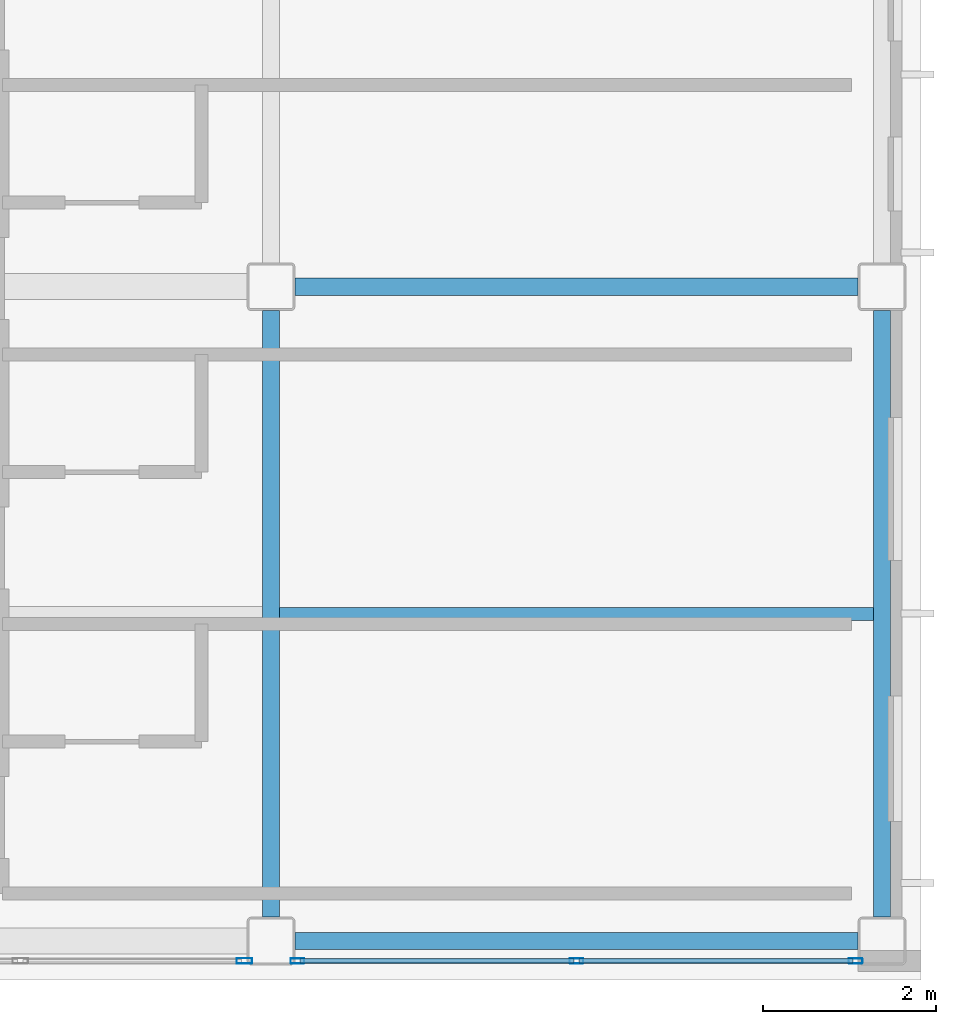
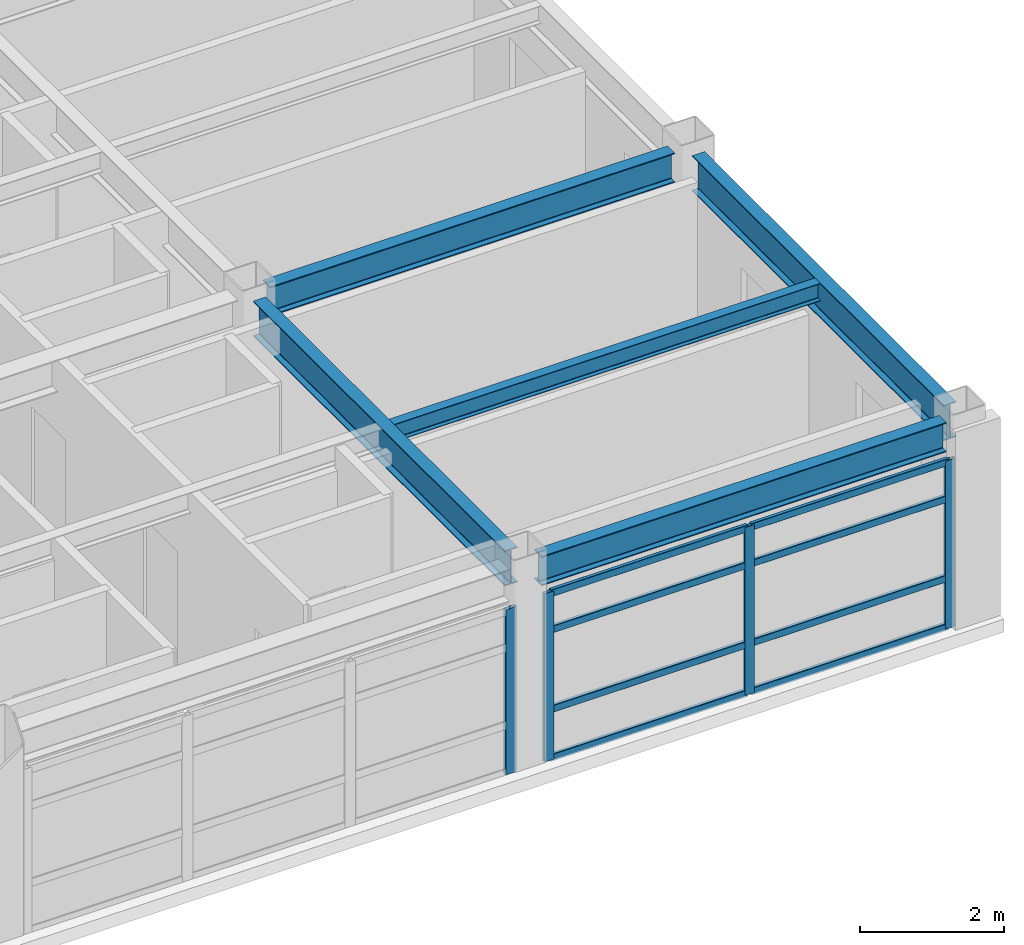
# One storey, part 6 of 38: 12 members, 5 beams, 2 elements without a shape of their own.
"""IFC4 building model written with IfcOpenShell, lengths in metres."""

from ifc_helpers import new_model, si_unit, direction, frame, origin, origin_2d, place, context, subcontext, project, spatial, hollow_rectangle, i_section, extrude, material, layer, layer_set, material_profile, profile_set, type_object, element, aggregate, save


model = new_model("IFC4")

# Units and contexts
model_context = context("Model", 3, precision=1e-05, world=origin(), true_north=direction((0.0, 1.0)))
body_context = subcontext(model_context, "Body", "Model", "MODEL_VIEW")
ifc_project = project(units=[si_unit("LENGTHUNIT", "METRE"), si_unit("AREAUNIT", "SQUARE_METRE"), si_unit("VOLUMEUNIT", "CUBIC_METRE"), si_unit("PLANEANGLEUNIT", "RADIAN"), si_unit("MASSUNIT", "GRAM", prefix="KILO")], contexts=[model_context])

# Site, building, storey
site_placement = place(None, origin())
site = spatial("IfcSite", under=ifc_project, at=site_placement, CompositionType="ELEMENT")
building_placement = place(site_placement, origin())
building = spatial("IfcBuilding", under=site, at=building_placement, Name="Kazehara Bluff Congress Hotel", CompositionType="ELEMENT")
storey_placement = place(building_placement, frame((0.0, 0.0, 24.60009765625)))
storey = spatial("IfcBuildingStorey", under=building, at=storey_placement, Name="L05", CompositionType="ELEMENT", Elevation=24.60009765625)

# Curtain wall, members
ifc_material_1 = material(Name="Anodised aluminium", Category="aluminium")
ifc_layer_1 = layer(ifc_material_1, 0.159912109375)
ifc_layer_set_1 = layer_set([ifc_layer_1], Name="Anodised aluminium")
curtain_wall_type_1 = type_object("IfcCurtainWallType", Name="TP-CW-173", PredefinedType="NOTDEFINED", material=ifc_layer_set_1)
curtain_wall_1_placement = place(storey_placement, origin())
curtain_wall_1 = element("IfcCurtainWall", 1, at=curtain_wall_1_placement, inside=storey, type_object=curtain_wall_type_1, Name="L05 curtain wall CW-173 CW-ENC-V5-L05-16402-22", PredefinedType="NOTDEFINED")
ifc_material_2 = material(Name="Anodised aluminium", Category="aluminium")
ifc_material_profile_1 = material_profile(ifc_material_2, hollow_rectangle(XDim=0.06005859375, YDim=0.159912109375, WallThickness=0.00390625, InnerFilletRadius=0.00390625, OuterFilletRadius=0.008056640625, at=origin_2d()))
ifc_profile_set_1 = profile_set([ifc_material_profile_1], Name="Anodised aluminium")
member_type_1 = type_object("IfcMemberType", Name="TP-CWM-01", PredefinedType="MULLION", material=ifc_profile_set_1)
member_1_placement = place(storey_placement, frame((167.2451171875, 0.219970703125, 0.0), z_axis=(0.0, 0.0, 1.0), x_axis=(0.0, -1.0, 0.0)))
member_1 = element("IfcMember", 2, at=member_1_placement, type_object=member_type_1, Name="CW-173 mullion 1", PredefinedType="MULLION", context=body_context, shape_type="SweptSolid", body=[
    extrude(hollow_rectangle(XDim=0.06005859375, YDim=0.159912109375, WallThickness=0.00390625, InnerFilletRadius=0.00390625, OuterFilletRadius=0.008056640625, at=origin_2d()), origin(), (0.0, 0.0, 1.0), 2.85498046875),
])
member_2_placement = place(storey_placement, frame((164.02490234375, 0.219970703125, 0.0), z_axis=(0.0, 0.0, 1.0), x_axis=(0.0, -1.0, 0.0)))
member_2 = element("IfcMember", 3, at=member_2_placement, type_object=member_type_1, Name="CW-173 mullion 2", PredefinedType="MULLION", context=body_context, shape_type="SweptSolid", body=[
    extrude(hollow_rectangle(XDim=0.06005859375, YDim=0.159912109375, WallThickness=0.00390625, InnerFilletRadius=0.00390625, OuterFilletRadius=0.008056640625, at=origin_2d()), origin(), (0.0, 0.0, 1.0), 2.85498046875),
])
member_3_placement = place(storey_placement, frame((160.804931640625, 0.219970703125, 0.0), z_axis=(0.0, 0.0, 1.0), x_axis=(0.0, -1.0, 0.0)))
member_3 = element("IfcMember", 4, at=member_3_placement, type_object=member_type_1, Name="CW-173 mullion 3", PredefinedType="MULLION", context=body_context, shape_type="SweptSolid", body=[
    extrude(hollow_rectangle(XDim=0.06005859375, YDim=0.159912109375, WallThickness=0.00390625, InnerFilletRadius=0.00390625, OuterFilletRadius=0.008056640625, at=origin_2d()), origin(), (0.0, 0.0, 1.0), 2.85498046875),
])

# Curtain wall, member
ifc_material_3 = material(Name="Anodised aluminium", Category="aluminium")
ifc_layer_2 = layer(ifc_material_3, 0.159912109375)
ifc_layer_set_2 = layer_set([ifc_layer_2], Name="Anodised aluminium")
curtain_wall_type_2 = type_object("IfcCurtainWallType", Name="TP-CW-172", PredefinedType="NOTDEFINED", material=ifc_layer_set_2)
curtain_wall_2_placement = place(storey_placement, origin())
curtain_wall_2 = element("IfcCurtainWall", 5, at=curtain_wall_2_placement, inside=storey, type_object=curtain_wall_type_2, Name="L05 curtain wall CW-172 CW-ENC-V5-L05-15630-22", PredefinedType="NOTDEFINED")
ifc_material_4 = material(Name="Anodised aluminium", Category="aluminium")
ifc_material_profile_2 = material_profile(ifc_material_4, hollow_rectangle(XDim=0.06494140625, YDim=0.179931640625, WallThickness=0.00390625, InnerFilletRadius=0.00390625, OuterFilletRadius=0.008056640625, at=origin_2d()))
ifc_profile_set_2 = profile_set([ifc_material_profile_2], Name="Anodised aluminium")
member_type_2 = type_object("IfcMemberType", Name="TP-CWM-02", PredefinedType="MULLION", material=ifc_profile_set_2)
member_4_placement = place(storey_placement, frame((160.1923828125, 0.219970703125, 0.0), z_axis=(0.0, 0.0, 1.0), x_axis=(0.0, -1.0, 0.0)))
member_4 = element("IfcMember", 6, at=member_4_placement, type_object=member_type_2, Name="CW-172 mullion 1", PredefinedType="MULLION", context=body_context, shape_type="SweptSolid", body=[
    extrude(hollow_rectangle(XDim=0.06494140625, YDim=0.179931640625, WallThickness=0.00390625, InnerFilletRadius=0.00390625, OuterFilletRadius=0.008056640625, at=origin_2d()), origin(), (0.0, 0.0, 1.0), 2.804931640625),
])
aggregate(curtain_wall_2, [member_4])

# Member
ifc_material_5 = material(Name="Anodised aluminium", Category="aluminium")
ifc_material_profile_3 = material_profile(ifc_material_5, hollow_rectangle(XDim=0.06005859375, YDim=0.1201171875, WallThickness=0.00390625, InnerFilletRadius=0.00390625, OuterFilletRadius=0.008056640625, at=origin_2d()))
ifc_profile_set_3 = profile_set([ifc_material_profile_3], Name="Anodised aluminium")
member_type_3 = type_object("IfcMemberType", Name="TP-CWT-01", PredefinedType="USERDEFINED", material=ifc_profile_set_3)
member_5_placement = place(storey_placement, frame((167.215087890625, 0.219970703125, 0.02978515625), z_axis=(-1.0, 0.0, 0.0), x_axis=(0.0, -1.0, 0.0)))
member_5 = element("IfcMember", 7, at=member_5_placement, type_object=member_type_3, Name="CW-173 transom 1.1", ObjectType="TRANSOM", PredefinedType="USERDEFINED", context=body_context, shape_type="SweptSolid", body=[
    extrude(hollow_rectangle(XDim=0.06005859375, YDim=0.1201171875, WallThickness=0.00390625, InnerFilletRadius=0.00390625, OuterFilletRadius=0.008056640625, at=origin_2d()), origin(), (0.0, 0.0, 1.0), 3.16015625),
])

member_6_placement = place(storey_placement, frame((167.215087890625, 0.219970703125, 0.85498046875), z_axis=(-1.0, 0.0, 0.0), x_axis=(0.0, -1.0, 0.0)))
member_6 = element("IfcMember", 8, at=member_6_placement, type_object=member_type_3, Name="CW-173 transom 1.2", ObjectType="TRANSOM", PredefinedType="USERDEFINED", context=body_context, shape_type="SweptSolid", body=[
    extrude(hollow_rectangle(XDim=0.06005859375, YDim=0.1201171875, WallThickness=0.00390625, InnerFilletRadius=0.00390625, OuterFilletRadius=0.008056640625, at=origin_2d()), origin(), (0.0, 0.0, 1.0), 3.16015625),
])

member_7_placement = place(storey_placement, frame((167.215087890625, 0.219970703125, 2.204833984375), z_axis=(-1.0, 0.0, 0.0), x_axis=(0.0, -1.0, 0.0)))
member_7 = element("IfcMember", 9, at=member_7_placement, type_object=member_type_3, Name="CW-173 transom 1.3", ObjectType="TRANSOM", PredefinedType="USERDEFINED", context=body_context, shape_type="SweptSolid", body=[
    extrude(hollow_rectangle(XDim=0.06005859375, YDim=0.1201171875, WallThickness=0.00390625, InnerFilletRadius=0.00390625, OuterFilletRadius=0.008056640625, at=origin_2d()), origin(), (0.0, 0.0, 1.0), 3.16015625),
])

member_8_placement = place(storey_placement, frame((167.215087890625, 0.219970703125, 2.824951171875), z_axis=(-1.0, 0.0, 0.0), x_axis=(0.0, -1.0, 0.0)))
member_8 = element("IfcMember", 10, at=member_8_placement, type_object=member_type_3, Name="CW-173 transom 1.4", ObjectType="TRANSOM", PredefinedType="USERDEFINED", context=body_context, shape_type="SweptSolid", body=[
    extrude(hollow_rectangle(XDim=0.06005859375, YDim=0.1201171875, WallThickness=0.00390625, InnerFilletRadius=0.00390625, OuterFilletRadius=0.008056640625, at=origin_2d()), origin(), (0.0, 0.0, 1.0), 3.16015625),
])

member_9_placement = place(storey_placement, frame((163.9951171875, 0.219970703125, 0.02978515625), z_axis=(-1.0, 0.0, 0.0), x_axis=(0.0, -1.0, 0.0)))
member_9 = element("IfcMember", 11, at=member_9_placement, type_object=member_type_3, Name="CW-173 transom 2.1", ObjectType="TRANSOM", PredefinedType="USERDEFINED", context=body_context, shape_type="SweptSolid", body=[
    extrude(hollow_rectangle(XDim=0.06005859375, YDim=0.1201171875, WallThickness=0.00390625, InnerFilletRadius=0.00390625, OuterFilletRadius=0.008056640625, at=origin_2d()), origin(), (0.0, 0.0, 1.0), 3.16015625),
])

member_10_placement = place(storey_placement, frame((163.9951171875, 0.219970703125, 0.85498046875), z_axis=(-1.0, 0.0, 0.0), x_axis=(0.0, -1.0, 0.0)))
member_10 = element("IfcMember", 12, at=member_10_placement, type_object=member_type_3, Name="CW-173 transom 2.2", ObjectType="TRANSOM", PredefinedType="USERDEFINED", context=body_context, shape_type="SweptSolid", body=[
    extrude(hollow_rectangle(XDim=0.06005859375, YDim=0.1201171875, WallThickness=0.00390625, InnerFilletRadius=0.00390625, OuterFilletRadius=0.008056640625, at=origin_2d()), origin(), (0.0, 0.0, 1.0), 3.16015625),
])

member_11_placement = place(storey_placement, frame((163.9951171875, 0.219970703125, 2.204833984375), z_axis=(-1.0, 0.0, 0.0), x_axis=(0.0, -1.0, 0.0)))
member_11 = element("IfcMember", 13, at=member_11_placement, type_object=member_type_3, Name="CW-173 transom 2.3", ObjectType="TRANSOM", PredefinedType="USERDEFINED", context=body_context, shape_type="SweptSolid", body=[
    extrude(hollow_rectangle(XDim=0.06005859375, YDim=0.1201171875, WallThickness=0.00390625, InnerFilletRadius=0.00390625, OuterFilletRadius=0.008056640625, at=origin_2d()), origin(), (0.0, 0.0, 1.0), 3.16015625),
])

member_12_placement = place(storey_placement, frame((163.9951171875, 0.219970703125, 2.824951171875), z_axis=(-1.0, 0.0, 0.0), x_axis=(0.0, -1.0, 0.0)))
member_12 = element("IfcMember", 14, at=member_12_placement, type_object=member_type_3, Name="CW-173 transom 2.4", ObjectType="TRANSOM", PredefinedType="USERDEFINED", context=body_context, shape_type="SweptSolid", body=[
    extrude(hollow_rectangle(XDim=0.06005859375, YDim=0.1201171875, WallThickness=0.00390625, InnerFilletRadius=0.00390625, OuterFilletRadius=0.008056640625, at=origin_2d()), origin(), (0.0, 0.0, 1.0), 3.16015625),
])

aggregate(curtain_wall_1, [member_1, member_2, member_3, member_5, member_6, member_7, member_8, member_9, member_10, member_11, member_12])

# Beams
ifc_material_6 = material(Name="Steel SN490B", Category="steel")
ifc_material_profile_4 = material_profile(ifc_material_6, i_section(OverallWidth=0.199951171875, OverallDepth=0.5, WebThickness=0.010009765625, FlangeThickness=0.01611328125, FilletRadius=0.012939453125, at=origin_2d()))
ifc_profile_set_4 = profile_set([ifc_material_profile_4], Name="Steel SN490B")
beam_type_1 = type_object("IfcBeamType", Name="TP-G-01", PredefinedType="BEAM", material=ifc_profile_set_4)
for number, where, z_axis, x_axis, name in (
    (15, (160.77490234375, 0.449951171875, 3.1298828125), (1.0, 0.0, 0.0), (0.0, 1.0, 0.0), "L05 girder G-01 46"),
    (16, (160.77490234375, 8.0, 3.1298828125), (1.0, 0.0, 0.0), (0.0, 1.0, 0.0), "L05 girder G-01 49"),
):
    element("IfcBeam", number, at=place(storey_placement, frame(where, z_axis=z_axis, x_axis=x_axis)), inside=storey, type_object=beam_type_1, Name=name, PredefinedType="BEAM", context=body_context, shape_type="SweptSolid", body=[
        extrude(i_section(OverallWidth=0.199951171875, OverallDepth=0.5, WebThickness=0.010009765625, FlangeThickness=0.01611328125, FilletRadius=0.012939453125, at=origin_2d()), origin(), (0.0, 0.0, 1.0), 6.5),
    ])
ifc_material_7 = material(Name="Steel SN490B", Category="steel")
ifc_material_profile_5 = material_profile(ifc_material_7, i_section(OverallWidth=0.199951171875, OverallDepth=0.60009765625, WebThickness=0.010986328125, FlangeThickness=0.01708984375, FilletRadius=0.012939453125, at=origin_2d()))
ifc_profile_set_5 = profile_set([ifc_material_profile_5], Name="Steel SN490B")
beam_type_2 = type_object("IfcBeamType", Name="TP-G-02", PredefinedType="BEAM", material=ifc_profile_set_5)
for number, where, z_axis, x_axis, name in (
    (17, (160.5, 0.72509765625, 3.079833984375), (0.0, 1.0, 0.0), (-1.0, 0.0, 0.0), "L05 girder G-02 24"),
    (18, (167.550048828125, 0.72509765625, 3.079833984375), (0.0, 1.0, 0.0), (-1.0, 0.0, 0.0), "L05 girder G-02 34"),
):
    element("IfcBeam", number, at=place(storey_placement, frame(where, z_axis=z_axis, x_axis=x_axis)), inside=storey, type_object=beam_type_2, Name=name, PredefinedType="BEAM", context=body_context, shape_type="SweptSolid", body=[
        extrude(i_section(OverallWidth=0.199951171875, OverallDepth=0.60009765625, WebThickness=0.010986328125, FlangeThickness=0.01708984375, FilletRadius=0.012939453125, at=origin_2d()), origin(), (0.0, 0.0, 1.0), 7.0),
    ])
ifc_material_8 = material(Name="Steel SN400B", Category="steel")
ifc_material_profile_6 = material_profile(ifc_material_8, i_section(OverallWidth=0.14990234375, OverallDepth=0.300048828125, WebThickness=0.006591796875, FlangeThickness=0.009033203125, FilletRadius=0.012939453125, at=origin_2d()))
ifc_profile_set_6 = profile_set([ifc_material_profile_6], Name="Steel SN400B")
beam_type_3 = type_object("IfcBeamType", Name="TP-J-01", PredefinedType="JOIST", material=ifc_profile_set_6)
beam_placement = place(storey_placement, frame((160.60009765625, 4.22509765625, 3.22998046875), z_axis=(1.0, 0.0, 0.0), x_axis=(0.0, 1.0, 0.0)))
element("IfcBeam", 19, at=beam_placement, inside=storey, type_object=beam_type_3, Name="L05 secondary joist J-01 17", PredefinedType="JOIST", context=body_context, shape_type="SweptSolid", body=[
    extrude(i_section(OverallWidth=0.14990234375, OverallDepth=0.300048828125, WebThickness=0.006591796875, FlangeThickness=0.009033203125, FilletRadius=0.012939453125, at=origin_2d()), origin(), (0.0, 0.0, 1.0), 6.849853515625),
])

save(model, "model.ifc")
